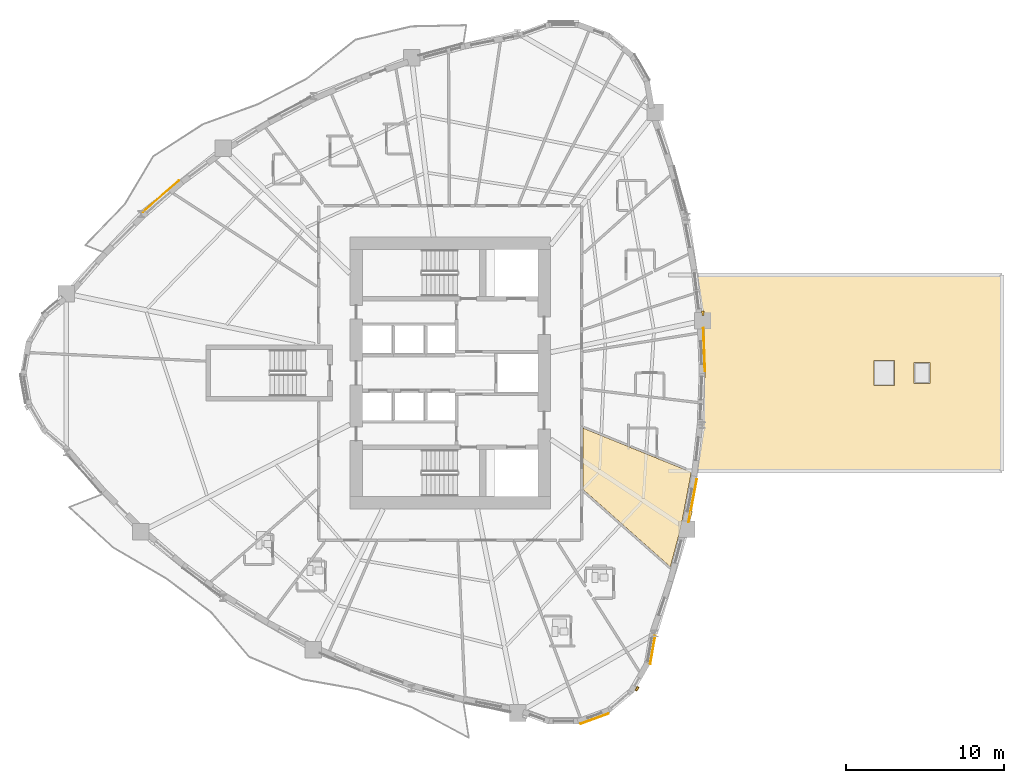
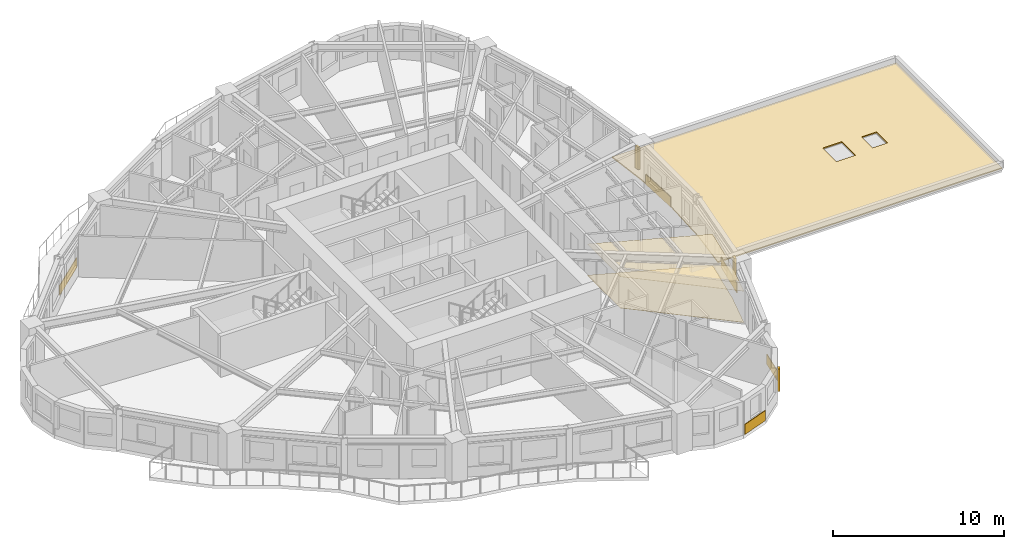
# One storey, part 13 of 15: 8 coverings, 3 shading devices.
"""IFC4 building model written with IfcOpenShell, lengths in metres."""

from ifc_helpers import new_model, si_unit, direction, frame, origin, origin_2d, place, context, subcontext, project, spatial, polyline, rectangle, outline, extrude, source, transform, mapped, material, layer, layer_set, type_object, element, save


model = new_model("IFC4")

# Units and contexts
model_context = context("Model", 3, precision=1e-05, world=origin(), true_north=direction((0.0, 1.0)))
body_context = subcontext(model_context, "Body", "Model", "MODEL_VIEW")
ifc_project = project(units=[si_unit("LENGTHUNIT", "METRE"), si_unit("AREAUNIT", "SQUARE_METRE"), si_unit("VOLUMEUNIT", "CUBIC_METRE"), si_unit("PLANEANGLEUNIT", "RADIAN"), si_unit("MASSUNIT", "GRAM", prefix="KILO")], contexts=[model_context])

# Site, building, storey
site_placement = place(None, origin())
site = spatial("IfcSite", under=ifc_project, at=site_placement, CompositionType="ELEMENT")
building_placement = place(site_placement, origin())
building = spatial("IfcBuilding", under=site, at=building_placement, Name="Qafzar Sky-Pleat Residences", CompositionType="ELEMENT")
storey_placement = place(building_placement, frame((0.0, 0.0, 36.60009765625)))
storey = spatial("IfcBuildingStorey", under=building, at=storey_placement, Name="L10", CompositionType="ELEMENT", Elevation=36.60009765625)

# Coverings
ifc_material_1 = material(Name="Perforated acoustic gypsum board ceiling")
ifc_layer_1 = layer(ifc_material_1, 0.02001953125)
ifc_layer_set_1 = layer_set([ifc_layer_1], Name="Perforated acoustic gypsum board ceiling")
covering_type_1 = type_object("IfcCoveringType", Name="COV-CEIL-ACOUSTIC", PredefinedType="CEILING", material=ifc_layer_set_1)
covering_1_placement = place(storey_placement, frame((0.0, 0.0, 2.239990234375)))
element("IfcCovering", 1, at=covering_1_placement, inside=storey, type_object=covering_type_1, Name="L10 Communal Kitchen Acoustic Ceiling", PredefinedType="CEILING", context=body_context, shape_type="SweptSolid", body=[
    extrude(outline(polyline([(45.552734375, 19.46630859375), (44.931884765625, 16.197998046875), (44.277099609375, 13.736083984375), (38.739990234375, 18.643798828125), (38.739990234375, 22.517578125), (45.582763671875, 19.72998046875), (45.552734375, 19.46630859375)])), origin(), (0.0, 0.0, 1.0), 0.02001953125),
])
ifc_material_2 = material(Name="Honed porcelain and Riyadh stone tile flooring", Category="masonry")
ifc_layer_2 = layer(ifc_material_2, 0.02001953125)
ifc_layer_set_2 = layer_set([ifc_layer_2], Name="Honed porcelain and Riyadh stone tile flooring")
covering_type_2 = type_object("IfcCoveringType", Name="COV-FLR-PORCELAIN", PredefinedType="FLOORING", material=ifc_layer_set_2)
covering_2_placement = place(storey_placement, origin())
element("IfcCovering", 2, at=covering_2_placement, inside=storey, type_object=covering_type_2, Name="L10 Communal Kitchen Honed Stone Flooring", PredefinedType="FLOORING", context=body_context, shape_type="SweptSolid", body=[
    extrude(outline(polyline([(45.552734375, 19.46630859375), (44.931884765625, 16.197998046875), (44.277099609375, 13.736083984375), (38.739990234375, 18.643798828125), (38.739990234375, 22.517578125), (45.582763671875, 19.72998046875), (45.552734375, 19.46630859375)])), origin(), (0.0, 0.0, 1.0), 0.02001953125),
])
ifc_material_3 = material(Name="Inverted elastomeric waterproofing membrane and gravel ballast")
ifc_layer_3 = layer(ifc_material_3, 0.080078125)
ifc_layer_set_3 = layer_set([ifc_layer_3], Name="Inverted elastomeric waterproofing membrane and gravel ballast")
covering_type_3 = type_object("IfcCoveringType", Name="COV-ROOF-MEMB", PredefinedType="ROOFING", material=ifc_layer_set_3)
covering_3_placement = place(storey_placement, origin())
element("IfcCovering", 3, at=covering_3_placement, inside=storey, type_object=covering_type_3, Name="L10 SB-1 Roof Waterproofing Membrane", PredefinedType="ROOFING", context=body_context, shape_type="SweptSolid", body=[
    extrude(outline(polyline([(65.25439453125, 32.199951171875), (65.25439453125, 19.800048828125), (46.008544921875, 19.800048828125), (46.339111328125, 22.701416015625), (46.33935546875, 22.702392578125), (46.464599609375, 25.99951171875), (46.464599609375, 26.00048828125), (46.33935546875, 29.297607421875), (46.339111328125, 29.298583984375), (46.008544921875, 32.199951171875), (65.25439453125, 32.199951171875)]), holes=[polyline([(57.15234375, 25.199951171875), (58.452392578125, 25.199951171875), (58.452392578125, 26.800048828125), (57.15234375, 26.800048828125), (57.15234375, 25.199951171875)]), polyline([(59.702392578125, 25.35009765625), (60.702392578125, 25.35009765625), (60.702392578125, 26.64990234375), (59.702392578125, 26.64990234375), (59.702392578125, 25.35009765625)])]), origin(), (0.0, 0.0, 1.0), 0.079833984375),
])

# Shading devices
ifc_material_4 = material(Name="Honed Riyadh limestone solar fin", Category="masonry")
ifc_layer_4 = layer(ifc_material_4, 0.139892578125)
ifc_layer_set_4 = layer_set([ifc_layer_4], Name="Honed Riyadh limestone solar fin")
shading_device_type = type_object("IfcShadingDeviceType", Name="SHD-FIN-STONE", PredefinedType="SHUTTER", material=ifc_layer_set_4)
shared_shape_1 = source(origin(), body_context, "Body", "SweptSolid", [
    extrude(rectangle(XDim=0.139892578125, YDim=0.280029296875, at=origin_2d()), origin(), (0.0, 0.0, 1.0), 1.60009765625),
])
for number, where, z_axis, x_axis, name in (
    (4, (42.171142578125, 6.02197265625, 0.599853515625), (0.0, 0.0, 1.0), (0.86604422228, -0.499967403994, 0.0), "L10 Limestone Solar Fin 21"),
    (5, (45.57958984375, 17.11572265625, 0.599853515625), (0.0, 0.0, 1.0), (0.982426090946, -0.186652018013, 0.0), "L10 Limestone Solar Fin 25"),
    (6, (46.33544921875, 29.773681640625, 0.599853515625), (0.0, 0.0, 1.0), (0.993566238116, 0.113252507596, 0.0), "L10 Limestone Solar Fin 29"),
):
    element("IfcShadingDevice", number, at=place(storey_placement, frame(where, z_axis=z_axis, x_axis=x_axis)), inside=storey, type_object=shading_device_type, Name=name, PredefinedType="SHUTTER", context=body_context, shape_type="MappedRepresentation", body=[
        mapped(shared_shape_1, transform((0.0, 0.0, 0.0), x_axis=(1.0, 0.0, 0.0), y_axis=(0.0, 1.0, 0.0), z_axis=(0.0, 0.0, 1.0), scale=1.0)),
    ])

# Coverings
ifc_material_5 = material(Name="Honed Riyadh Tuwaiq limestone cladding", Category="masonry")
ifc_layer_5 = layer(ifc_material_5, 0.044921875)
ifc_layer_set_5 = layer_set([ifc_layer_5], Name="Honed Riyadh Tuwaiq limestone cladding")
covering_type_4 = type_object("IfcCoveringType", Name="COV-CLAD-STONE", PredefinedType="CLADDING", material=ifc_layer_set_5)
shared_shape_2 = source(origin(), body_context, "Body", "SweptSolid", [
    extrude(rectangle(XDim=1.88134765625, YDim=0.044921875, at=origin_2d()), origin(), (0.0, 0.0, 1.0), 0.719970703125),
])
covering_4_placement = place(storey_placement, frame((39.478515625, 4.127197265625, 0.02001953125), z_axis=(0.0, 0.0, 1.0), x_axis=(0.939678833387, 0.342058021518, 0.0)))
element("IfcCovering", 7, at=covering_4_placement, inside=storey, type_object=covering_type_4, Name="L10 Riyadh Limestone Spandrel Cladding 19", PredefinedType="CLADDING", context=body_context, shape_type="MappedRepresentation", body=[
    mapped(shared_shape_2, transform((0.0, 0.0, 0.0), x_axis=(1.0, 0.0, 0.0), y_axis=(0.0, 1.0, 0.0), z_axis=(0.0, 0.0, 1.0), scale=1.0)),
])
shared_shape_3 = source(origin(), body_context, "Body", "SweptSolid", [
    extrude(rectangle(XDim=1.8291015625, YDim=0.044921875, at=origin_2d()), origin(), (0.0, 0.0, 1.0), 0.719970703125),
])
covering_5_placement = place(storey_placement, frame((43.1591796875, 8.490966796875, 0.02001953125), z_axis=(0.0, 0.0, 1.0), x_axis=(0.17364778674, 0.984807821943, 0.0)))
element("IfcCovering", 8, at=covering_5_placement, inside=storey, type_object=covering_type_4, Name="L10 Riyadh Limestone Spandrel Cladding 22", PredefinedType="CLADDING", context=body_context, shape_type="MappedRepresentation", body=[
    mapped(shared_shape_3, transform((0.0, 0.0, 0.0), x_axis=(1.0, 0.0, 0.0), y_axis=(0.0, 1.0, 0.0), z_axis=(0.0, 0.0, 1.0), scale=1.0)),
])
shared_shape_4 = source(origin(), body_context, "Body", "SweptSolid", [
    extrude(rectangle(XDim=2.78466796875, YDim=0.044921875, at=origin_2d()), origin(), (0.0, 0.0, 1.0), 0.719970703125),
])
covering_6_placement = place(storey_placement, frame((45.6884765625, 17.91943359375, 0.02001953125), z_axis=(0.0, 0.0, 1.0), x_axis=(0.186653159083, 0.982425874153, 0.0)))
element("IfcCovering", 9, at=covering_6_placement, inside=storey, type_object=covering_type_4, Name="L10 Riyadh Limestone Spandrel Cladding 25", PredefinedType="CLADDING", context=body_context, shape_type="MappedRepresentation", body=[
    mapped(shared_shape_4, transform((0.0, 0.0, 0.0), x_axis=(1.0, 0.0, 0.0), y_axis=(0.0, 1.0, 0.0), z_axis=(0.0, 0.0, 1.0), scale=1.0)),
])
shared_shape_5 = source(origin(), body_context, "Body", "SweptSolid", [
    extrude(rectangle(XDim=2.733642578125, YDim=0.044921875, at=origin_2d()), origin(), (0.0, 0.0, 1.0), 0.719970703125),
])
covering_7_placement = place(storey_placement, frame((46.415283203125, 27.48046875, 0.02001953125), z_axis=(0.0, 0.0, 1.0), x_axis=(-0.037993107975, 0.999278001232, 0.0)))
element("IfcCovering", 10, at=covering_7_placement, inside=storey, type_object=covering_type_4, Name="L10 Riyadh Limestone Spandrel Cladding 28", PredefinedType="CLADDING", context=body_context, shape_type="MappedRepresentation", body=[
    mapped(shared_shape_5, transform((0.0, 0.0, 0.0), x_axis=(1.0, 0.0, 0.0), y_axis=(0.0, 1.0, 0.0), z_axis=(0.0, 0.0, 1.0), scale=1.0)),
])
shared_shape_6 = source(origin(), body_context, "Body", "SweptSolid", [
    extrude(rectangle(XDim=3.03662109375, YDim=0.044921875, at=origin_2d()), origin(), (0.0, 0.0, 1.0), 0.719970703125),
])
covering_8_placement = place(storey_placement, frame((12.0517578125, 37.18701171875, 0.02001953125), z_axis=(0.0, 0.0, 1.0), x_axis=(-0.757481729297, -0.652856362289, 0.0)))
element("IfcCovering", 11, at=covering_8_placement, inside=storey, type_object=covering_type_4, Name="L10 Riyadh Limestone Spandrel Cladding 46", PredefinedType="CLADDING", context=body_context, shape_type="MappedRepresentation", body=[
    mapped(shared_shape_6, transform((0.0, 0.0, 0.0), x_axis=(1.0, 0.0, 0.0), y_axis=(0.0, 1.0, 0.0), z_axis=(0.0, 0.0, 1.0), scale=1.0)),
])

save(model, "model.ifc")
